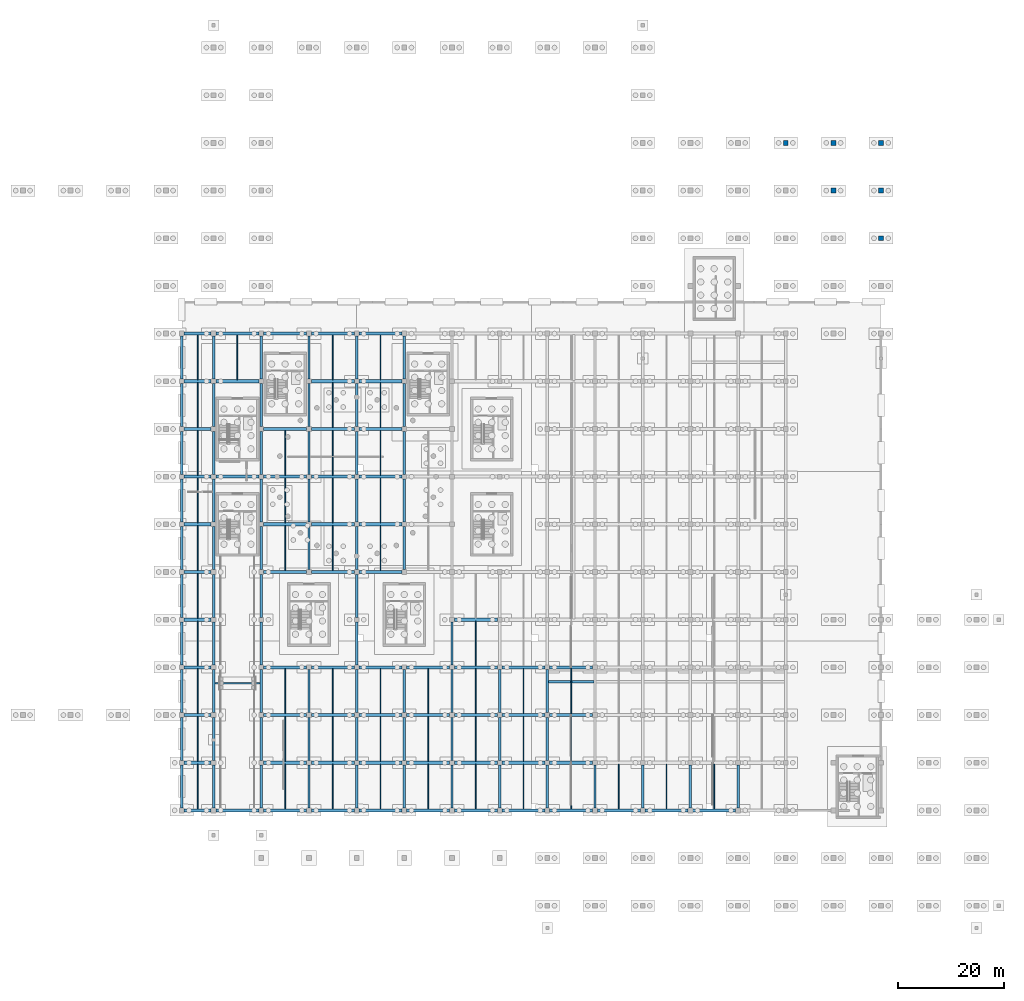
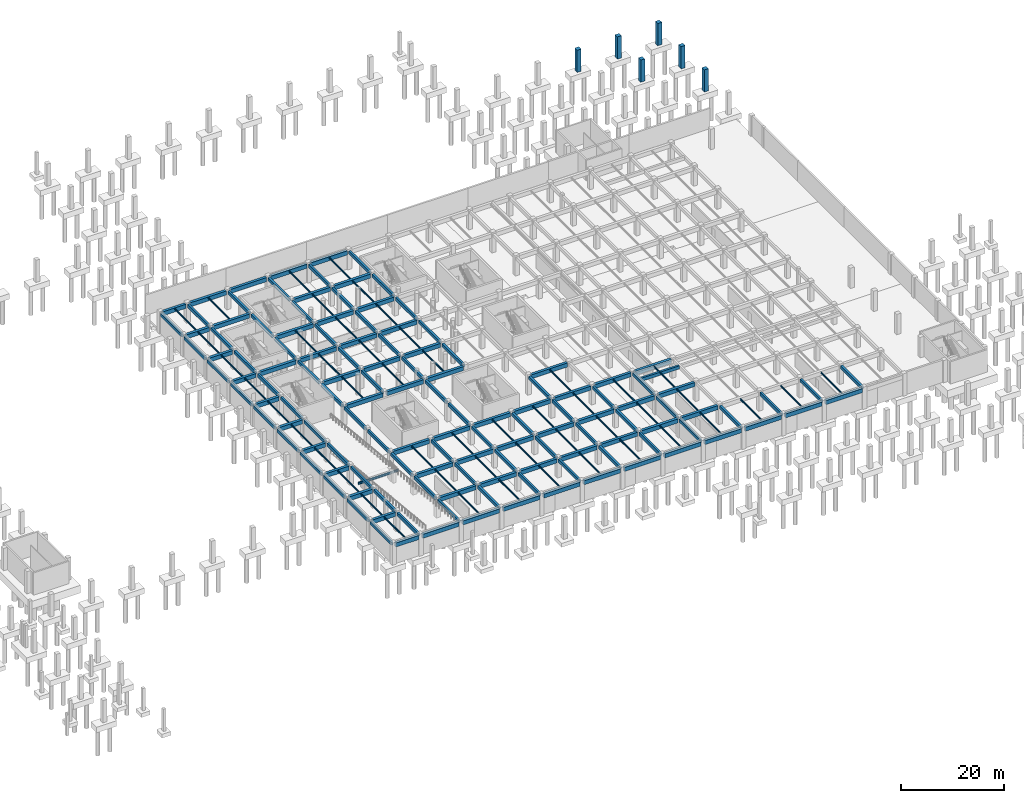
# One storey, part 13 of 27: 185 beams, 6 columns.
"""IFC4 building model written with IfcOpenShell, lengths in metres."""

from ifc_helpers import new_model, si_unit, direction, frame, origin, origin_2d, place, context, subcontext, project, spatial, rectangle, i_section, extrude, material, material_profile, profile_set, type_object, element, save


model = new_model("IFC4")

# Units and contexts
model_context = context("Model", 3, precision=1e-05, world=origin(), true_north=direction((0.0, 1.0)))
body_context = subcontext(model_context, "Body", "Model", "MODEL_VIEW")
ifc_project = project(units=[si_unit("LENGTHUNIT", "METRE"), si_unit("AREAUNIT", "SQUARE_METRE"), si_unit("VOLUMEUNIT", "CUBIC_METRE"), si_unit("PLANEANGLEUNIT", "RADIAN"), si_unit("MASSUNIT", "GRAM", prefix="KILO")], contexts=[model_context])

# Site, building, storey
site_placement = place(None, origin())
site = spatial("IfcSite", under=ifc_project, at=site_placement, CompositionType="ELEMENT")
building_placement = place(site_placement, origin())
building = spatial("IfcBuilding", under=site, at=building_placement, Name="Dornveld Trade and Exhibition Forum", CompositionType="ELEMENT")
storey_placement = place(building_placement, frame((0.0, 0.0, -4.800048828125)))
storey = spatial("IfcBuildingStorey", under=building, at=storey_placement, Name="B1", CompositionType="ELEMENT", Elevation=-4.800048828125)

# Columns
ifc_material_1 = material(Name="Precast concrete C50/60", Category="concrete")
ifc_material_profile_1 = material_profile(ifc_material_1, rectangle(XDim=0.89990234375, YDim=0.89990234375, at=origin_2d()), Name="PC-COL 900x900")
ifc_profile_set_1 = profile_set([ifc_material_profile_1], Name="Precast concrete C50/60")
column_type = type_object("IfcColumnType", Name="COL-PC900", PredefinedType="COLUMN", material=ifc_profile_set_1)
for number, where, z_axis, x_axis, name in (
    (1, (198.0, 144.0, -0.449951171875), (0.0, 0.0, 1.0), (1.0, 0.0, 0.0), "B1 column (198.0, 144.0)"),
    (2, (207.0, 135.0, -0.449951171875), (0.0, 0.0, 1.0), (1.0, 0.0, 0.0), "B1 column (207.0, 135.0)"),
    (3, (207.0, 144.0, -0.449951171875), (0.0, 0.0, 1.0), (1.0, 0.0, 0.0), "B1 column (207.0, 144.0)"),
    (4, (216.0, 126.0, -0.449951171875), (0.0, 0.0, 1.0), (1.0, 0.0, 0.0), "B1 column (216.0, 126.0)"),
    (5, (216.0, 135.0, -0.449951171875), (0.0, 0.0, 1.0), (1.0, 0.0, 0.0), "B1 column (216.0, 135.0)"),
    (6, (216.0, 144.0, -0.449951171875), (0.0, 0.0, 1.0), (1.0, 0.0, 0.0), "B1 column (216.0, 144.0)"),
):
    element("IfcColumn", number, at=place(storey_placement, frame(where, z_axis=z_axis, x_axis=x_axis)), inside=storey, type_object=column_type, Name=name, PredefinedType="COLUMN", context=body_context, shape_type="SweptSolid", body=[
        extrude(rectangle(XDim=0.89990234375, YDim=0.89990234375, at=origin_2d()), origin(), (0.0, 0.0, 1.0), 5.25),
    ])

# Beams
ifc_material_2 = material(Name="Steel S355J2", Category="steel")
ifc_material_profile_2 = material_profile(ifc_material_2, i_section(OverallWidth=0.300048828125, OverallDepth=0.5, WebThickness=0.014404296875, FlangeThickness=0.028076171875, FilletRadius=0.027099609375, at=origin_2d()), Name="HEB 500")
ifc_profile_set_2 = profile_set([ifc_material_profile_2], Name="Steel S355J2")
beam_type_1 = type_object("IfcBeamType", Name="BM-GIR-HEB500", PredefinedType="USERDEFINED", material=ifc_profile_set_2)
beam_1_placement = place(storey_placement, frame((90.0, 42.0, 1.824951171875), z_axis=(1.0, 0.0, 0.0), x_axis=(0.0, 1.0, 0.0)))
element("IfcBeam", 7, at=beam_1_placement, inside=storey, type_object=beam_type_1, Name="Ramp mid-flight transverse bearing girder 3", ObjectType="GIRDER", PredefinedType="USERDEFINED", context=body_context, shape_type="SweptSolid", body=[
    extrude(i_section(OverallWidth=0.300048828125, OverallDepth=0.5, WebThickness=0.014404296875, FlangeThickness=0.028076171875, FilletRadius=0.027099609375, at=origin_2d()), origin(), (0.0, 0.0, 1.0), 9.0),
])
ifc_material_3 = material(Name="Steel S355J2", Category="steel")
ifc_material_profile_3 = material_profile(ifc_material_3, i_section(OverallWidth=0.169921875, OverallDepth=0.360107421875, WebThickness=0.008056640625, FlangeThickness=0.0126953125, FilletRadius=0.01806640625, at=origin_2d()), Name="IPE 360")
ifc_profile_set_3 = profile_set([ifc_material_profile_3], Name="Steel S355J2")
beam_type_2 = type_object("IfcBeamType", Name="BM-JOIST-360", PredefinedType="JOIST", material=ifc_profile_set_3)
for number, where, z_axis, x_axis, name in (
    (8, (87.0, 18.297119140625, 4.239990234375), (0.0, 1.0, 0.0), (-1.0, 0.0, 0.0), "B1 secondary joist 259"),
    (9, (87.0, 27.297119140625, 4.239990234375), (0.0, 1.0, 0.0), (-1.0, 0.0, 0.0), "B1 secondary joist 260"),
    (10, (87.0, 36.297119140625, 4.239990234375), (0.0, 1.0, 0.0), (-1.0, 0.0, 0.0), "B1 secondary joist 261"),
    (11, (87.0, 45.297119140625, 4.239990234375), (0.0, 1.0, 0.0), (-1.0, 0.0, 0.0), "B1 secondary joist 262"),
    (12, (87.0, 54.297119140625, 4.239990234375), (0.0, 1.0, 0.0), (-1.0, 0.0, 0.0), "B1 secondary joist 263"),
    (13, (87.0, 63.297119140625, 4.239990234375), (0.0, 1.0, 0.0), (-1.0, 0.0, 0.0), "B1 secondary joist 264"),
    (14, (87.0, 72.297119140625, 4.239990234375), (0.0, 1.0, 0.0), (-1.0, 0.0, 0.0), "B1 secondary joist 265"),
    (15, (87.0, 81.297119140625, 4.239990234375), (0.0, 1.0, 0.0), (-1.0, 0.0, 0.0), "B1 secondary joist 266"),
    (16, (87.0, 90.297119140625, 4.239990234375), (0.0, 1.0, 0.0), (-1.0, 0.0, 0.0), "B1 secondary joist 267"),
    (17, (87.0, 99.297119140625, 4.239990234375), (0.0, 1.0, 0.0), (-1.0, 0.0, 0.0), "B1 secondary joist 268"),
    (18, (94.5, 99.297119140625, 4.239990234375), (0.0, 1.0, 0.0), (-1.0, 0.0, 0.0), "B1 secondary joist 269"),
    (19, (103.5, 18.297119140625, 4.239990234375), (0.0, 1.0, 0.0), (-1.0, 0.0, 0.0), "B1 secondary joist 270"),
    (20, (103.5, 27.297119140625, 4.239990234375), (0.0, 1.0, 0.0), (-1.0, 0.0, 0.0), "B1 secondary joist 271"),
    (21, (103.5, 36.297119140625, 4.239990234375), (0.0, 1.0, 0.0), (-1.0, 0.0, 0.0), "B1 secondary joist 272"),
    (22, (103.5, 63.297119140625, 4.239990234375), (0.0, 1.0, 0.0), (-1.0, 0.0, 0.0), "B1 secondary joist 273"),
    (23, (103.5, 72.297119140625, 4.239990234375), (0.0, 1.0, 0.0), (-1.0, 0.0, 0.0), "B1 secondary joist 274"),
    (24, (103.5, 81.297119140625, 4.239990234375), (0.0, 1.0, 0.0), (-1.0, 0.0, 0.0), "B1 secondary joist 275"),
    (25, (112.5, 18.297119140625, 4.239990234375), (0.0, 1.0, 0.0), (-1.0, 0.0, 0.0), "B1 secondary joist 276"),
    (26, (112.5, 27.297119140625, 4.239990234375), (0.0, 1.0, 0.0), (-1.0, 0.0, 0.0), "B1 secondary joist 277"),
    (27, (112.5, 36.297119140625, 4.239990234375), (0.0, 1.0, 0.0), (-1.0, 0.0, 0.0), "B1 secondary joist 278"),
    (28, (112.5, 63.297119140625, 4.239990234375), (0.0, 1.0, 0.0), (-1.0, 0.0, 0.0), "B1 secondary joist 279"),
    (29, (112.5, 72.297119140625, 4.239990234375), (0.0, 1.0, 0.0), (-1.0, 0.0, 0.0), "B1 secondary joist 280"),
    (30, (112.5, 81.297119140625, 4.239990234375), (0.0, 1.0, 0.0), (-1.0, 0.0, 0.0), "B1 secondary joist 281"),
    (31, (112.5, 90.297119140625, 4.239990234375), (0.0, 1.0, 0.0), (-1.0, 0.0, 0.0), "B1 secondary joist 282"),
    (32, (112.5, 99.297119140625, 4.239990234375), (0.0, 1.0, 0.0), (-1.0, 0.0, 0.0), "B1 secondary joist 283"),
    (33, (121.5, 18.297119140625, 4.239990234375), (0.0, 1.0, 0.0), (-1.0, 0.0, 0.0), "B1 secondary joist 284"),
    (34, (121.5, 27.297119140625, 4.239990234375), (0.0, 1.0, 0.0), (-1.0, 0.0, 0.0), "B1 secondary joist 285"),
    (35, (121.5, 36.297119140625, 4.239990234375), (0.0, 1.0, 0.0), (-1.0, 0.0, 0.0), "B1 secondary joist 286"),
    (36, (121.5, 63.297119140625, 4.239990234375), (0.0, 1.0, 0.0), (-1.0, 0.0, 0.0), "B1 secondary joist 287"),
    (37, (121.5, 72.297119140625, 4.239990234375), (0.0, 1.0, 0.0), (-1.0, 0.0, 0.0), "B1 secondary joist 288"),
    (38, (121.5, 81.297119140625, 4.239990234375), (0.0, 1.0, 0.0), (-1.0, 0.0, 0.0), "B1 secondary joist 289"),
    (39, (121.5, 90.297119140625, 4.239990234375), (0.0, 1.0, 0.0), (-1.0, 0.0, 0.0), "B1 secondary joist 290"),
    (40, (121.5, 99.297119140625, 4.239990234375), (0.0, 1.0, 0.0), (-1.0, 0.0, 0.0), "B1 secondary joist 291"),
    (41, (130.5, 18.297119140625, 4.239990234375), (0.0, 1.0, 0.0), (-1.0, 0.0, 0.0), "B1 secondary joist 292"),
    (42, (130.5, 27.297119140625, 4.239990234375), (0.0, 1.0, 0.0), (-1.0, 0.0, 0.0), "B1 secondary joist 293"),
    (43, (130.5, 36.297119140625, 4.239990234375), (0.0, 1.0, 0.0), (-1.0, 0.0, 0.0), "B1 secondary joist 294"),
    (44, (139.5, 18.297119140625, 4.239990234375), (0.0, 1.0, 0.0), (-1.0, 0.0, 0.0), "B1 secondary joist 298"),
    (45, (139.5, 27.297119140625, 4.239990234375), (0.0, 1.0, 0.0), (-1.0, 0.0, 0.0), "B1 secondary joist 299"),
    (46, (139.5, 36.297119140625, 4.239990234375), (0.0, 1.0, 0.0), (-1.0, 0.0, 0.0), "B1 secondary joist 300"),
    (47, (139.5, 45.297119140625, 4.239990234375), (0.0, 1.0, 0.0), (-1.0, 0.0, 0.0), "B1 secondary joist 301"),
    (48, (148.5, 18.297119140625, 4.239990234375), (0.0, 1.0, 0.0), (-1.0, 0.0, 0.0), "B1 secondary joist 304"),
    (49, (148.5, 27.297119140625, 4.239990234375), (0.0, 1.0, 0.0), (-1.0, 0.0, 0.0), "B1 secondary joist 305"),
    (50, (148.5, 36.297119140625, 4.239990234375), (0.0, 1.0, 0.0), (-1.0, 0.0, 0.0), "B1 secondary joist 306"),
    (51, (157.5, 18.297119140625, 4.239990234375), (0.0, 1.0, 0.0), (-1.0, 0.0, 0.0), "B1 secondary joist 310"),
    (52, (157.5, 27.297119140625, 4.239990234375), (0.0, 1.0, 0.0), (-1.0, 0.0, 0.0), "B1 secondary joist 311"),
    (53, (157.5, 36.297119140625, 4.239990234375), (0.0, 1.0, 0.0), (-1.0, 0.0, 0.0), "B1 secondary joist 312"),
    (54, (166.5, 18.297119140625, 4.239990234375), (0.0, 1.0, 0.0), (-1.0, 0.0, 0.0), "B1 secondary joist 320"),
    (55, (175.5, 18.297119140625, 4.239990234375), (0.0, 1.0, 0.0), (-1.0, 0.0, 0.0), "B1 secondary joist 330"),
    (56, (184.5, 18.297119140625, 4.239990234375), (0.0, 1.0, 0.0), (-1.0, 0.0, 0.0), "B1 secondary joist 340"),
):
    element("IfcBeam", number, at=place(storey_placement, frame(where, z_axis=z_axis, x_axis=x_axis)), inside=storey, type_object=beam_type_2, Name=name, PredefinedType="JOIST", context=body_context, shape_type="SweptSolid", body=[
        extrude(i_section(OverallWidth=0.169921875, OverallDepth=0.360107421875, WebThickness=0.008056640625, FlangeThickness=0.0126953125, FilletRadius=0.01806640625, at=origin_2d()), origin(), (0.0, 0.0, 1.0), 8.40576171875),
    ])
ifc_material_4 = material(Name="Precast concrete C50/60", Category="concrete")
ifc_material_profile_4 = material_profile(ifc_material_4, rectangle(XDim=0.449951171875, YDim=0.75, at=origin_2d()), Name="PC-BM 450x750")
ifc_profile_set_4 = profile_set([ifc_material_profile_4], Name="Precast concrete C50/60")
beam_type_3 = type_object("IfcBeamType", Name="BM-PC-450x750", PredefinedType="BEAM", material=ifc_profile_set_4)
for number, where, z_axis, x_axis, name in (
    (57, (84.0, 18.446044921875, 4.045166015625), (0.0, 1.0, 0.0), (-1.0, 0.0, 0.0), "B1 Y-girder 127"),
    (58, (84.0, 27.446044921875, 4.045166015625), (0.0, 1.0, 0.0), (-1.0, 0.0, 0.0), "B1 Y-girder 128"),
    (59, (84.0, 36.446044921875, 4.045166015625), (0.0, 1.0, 0.0), (-1.0, 0.0, 0.0), "B1 Y-girder 129"),
    (60, (84.0, 45.446044921875, 4.045166015625), (0.0, 1.0, 0.0), (-1.0, 0.0, 0.0), "B1 Y-girder 130"),
    (61, (84.0, 54.446044921875, 4.045166015625), (0.0, 1.0, 0.0), (-1.0, 0.0, 0.0), "B1 Y-girder 131"),
    (62, (84.0, 63.446044921875, 4.045166015625), (0.0, 1.0, 0.0), (-1.0, 0.0, 0.0), "B1 Y-girder 132"),
    (63, (84.0, 72.446044921875, 4.045166015625), (0.0, 1.0, 0.0), (-1.0, 0.0, 0.0), "B1 Y-girder 133"),
    (64, (84.0, 81.446044921875, 4.045166015625), (0.0, 1.0, 0.0), (-1.0, 0.0, 0.0), "B1 Y-girder 134"),
    (65, (84.0, 90.446044921875, 4.045166015625), (0.0, 1.0, 0.0), (-1.0, 0.0, 0.0), "B1 Y-girder 135"),
    (66, (84.0, 99.446044921875, 4.045166015625), (0.0, 1.0, 0.0), (-1.0, 0.0, 0.0), "B1 Y-girder 136"),
    (67, (90.0, 18.446044921875, 4.045166015625), (0.0, 1.0, 0.0), (-1.0, 0.0, 0.0), "B1 Y-girder 137"),
    (68, (90.0, 27.446044921875, 4.045166015625), (0.0, 1.0, 0.0), (-1.0, 0.0, 0.0), "B1 Y-girder 138"),
    (69, (90.0, 36.446044921875, 4.045166015625), (0.0, 1.0, 0.0), (-1.0, 0.0, 0.0), "B1 Y-girder 139"),
    (70, (90.0, 45.446044921875, 4.045166015625), (0.0, 1.0, 0.0), (-1.0, 0.0, 0.0), "B1 Y-girder 140"),
    (71, (90.0, 54.446044921875, 4.045166015625), (0.0, 1.0, 0.0), (-1.0, 0.0, 0.0), "B1 Y-girder 141"),
    (72, (90.0, 63.446044921875, 4.045166015625), (0.0, 1.0, 0.0), (-1.0, 0.0, 0.0), "B1 Y-girder 142"),
    (73, (90.0, 72.446044921875, 4.045166015625), (0.0, 1.0, 0.0), (-1.0, 0.0, 0.0), "B1 Y-girder 143"),
    (74, (90.0, 81.446044921875, 4.045166015625), (0.0, 1.0, 0.0), (-1.0, 0.0, 0.0), "B1 Y-girder 144"),
    (75, (90.0, 90.446044921875, 4.045166015625), (0.0, 1.0, 0.0), (-1.0, 0.0, 0.0), "B1 Y-girder 145"),
    (76, (90.0, 99.446044921875, 4.045166015625), (0.0, 1.0, 0.0), (-1.0, 0.0, 0.0), "B1 Y-girder 146"),
    (77, (99.0, 18.446044921875, 4.045166015625), (0.0, 1.0, 0.0), (-1.0, 0.0, 0.0), "B1 Y-girder 147"),
    (78, (99.0, 27.446044921875, 4.045166015625), (0.0, 1.0, 0.0), (-1.0, 0.0, 0.0), "B1 Y-girder 148"),
    (79, (99.0, 36.446044921875, 4.045166015625), (0.0, 1.0, 0.0), (-1.0, 0.0, 0.0), "B1 Y-girder 149"),
    (80, (99.0, 45.446044921875, 4.045166015625), (0.0, 1.0, 0.0), (-1.0, 0.0, 0.0), "B1 Y-girder 150"),
    (81, (99.0, 54.446044921875, 4.045166015625), (0.0, 1.0, 0.0), (-1.0, 0.0, 0.0), "B1 Y-girder 151"),
    (82, (99.0, 63.446044921875, 4.045166015625), (0.0, 1.0, 0.0), (-1.0, 0.0, 0.0), "B1 Y-girder 152"),
    (83, (99.0, 72.446044921875, 4.045166015625), (0.0, 1.0, 0.0), (-1.0, 0.0, 0.0), "B1 Y-girder 153"),
    (84, (99.0, 81.446044921875, 4.045166015625), (0.0, 1.0, 0.0), (-1.0, 0.0, 0.0), "B1 Y-girder 154"),
    (85, (99.0, 90.446044921875, 4.045166015625), (0.0, 1.0, 0.0), (-1.0, 0.0, 0.0), "B1 Y-girder 155"),
    (86, (99.0, 99.446044921875, 4.045166015625), (0.0, 1.0, 0.0), (-1.0, 0.0, 0.0), "B1 Y-girder 156"),
    (87, (108.0, 18.446044921875, 4.045166015625), (0.0, 1.0, 0.0), (-1.0, 0.0, 0.0), "B1 Y-girder 157"),
    (88, (108.0, 27.446044921875, 4.045166015625), (0.0, 1.0, 0.0), (-1.0, 0.0, 0.0), "B1 Y-girder 158"),
    (89, (108.0, 36.446044921875, 4.045166015625), (0.0, 1.0, 0.0), (-1.0, 0.0, 0.0), "B1 Y-girder 159"),
    (90, (108.0, 63.446044921875, 4.045166015625), (0.0, 1.0, 0.0), (-1.0, 0.0, 0.0), "B1 Y-girder 160"),
    (91, (108.0, 72.446044921875, 4.045166015625), (0.0, 1.0, 0.0), (-1.0, 0.0, 0.0), "B1 Y-girder 161"),
    (92, (108.0, 81.446044921875, 4.045166015625), (0.0, 1.0, 0.0), (-1.0, 0.0, 0.0), "B1 Y-girder 162"),
    (93, (108.0, 90.446044921875, 4.045166015625), (0.0, 1.0, 0.0), (-1.0, 0.0, 0.0), "B1 Y-girder 163"),
    (94, (108.0, 99.446044921875, 4.045166015625), (0.0, 1.0, 0.0), (-1.0, 0.0, 0.0), "B1 Y-girder 164"),
    (95, (117.0, 18.446044921875, 4.045166015625), (0.0, 1.0, 0.0), (-1.0, 0.0, 0.0), "B1 Y-girder 165"),
    (96, (117.0, 27.446044921875, 4.045166015625), (0.0, 1.0, 0.0), (-1.0, 0.0, 0.0), "B1 Y-girder 166"),
    (97, (117.0, 36.446044921875, 4.045166015625), (0.0, 1.0, 0.0), (-1.0, 0.0, 0.0), "B1 Y-girder 167"),
    (98, (117.0, 45.446044921875, 4.045166015625), (0.0, 1.0, 0.0), (-1.0, 0.0, 0.0), "B1 Y-girder 168"),
    (99, (117.0, 54.446044921875, 4.045166015625), (0.0, 1.0, 0.0), (-1.0, 0.0, 0.0), "B1 Y-girder 169"),
    (100, (117.0, 63.446044921875, 4.045166015625), (0.0, 1.0, 0.0), (-1.0, 0.0, 0.0), "B1 Y-girder 170"),
    (101, (117.0, 72.446044921875, 4.045166015625), (0.0, 1.0, 0.0), (-1.0, 0.0, 0.0), "B1 Y-girder 171"),
    (102, (117.0, 81.446044921875, 4.045166015625), (0.0, 1.0, 0.0), (-1.0, 0.0, 0.0), "B1 Y-girder 172"),
    (103, (117.0, 90.446044921875, 4.045166015625), (0.0, 1.0, 0.0), (-1.0, 0.0, 0.0), "B1 Y-girder 173"),
    (104, (117.0, 99.446044921875, 4.045166015625), (0.0, 1.0, 0.0), (-1.0, 0.0, 0.0), "B1 Y-girder 174"),
    (105, (126.0, 18.446044921875, 4.045166015625), (0.0, 1.0, 0.0), (-1.0, 0.0, 0.0), "B1 Y-girder 175"),
    (106, (126.0, 27.446044921875, 4.045166015625), (0.0, 1.0, 0.0), (-1.0, 0.0, 0.0), "B1 Y-girder 176"),
    (107, (126.0, 36.446044921875, 4.045166015625), (0.0, 1.0, 0.0), (-1.0, 0.0, 0.0), "B1 Y-girder 177"),
    (108, (126.0, 63.446044921875, 4.045166015625), (0.0, 1.0, 0.0), (-1.0, 0.0, 0.0), "B1 Y-girder 178"),
    (109, (126.0, 72.446044921875, 4.045166015625), (0.0, 1.0, 0.0), (-1.0, 0.0, 0.0), "B1 Y-girder 179"),
    (110, (126.0, 81.446044921875, 4.045166015625), (0.0, 1.0, 0.0), (-1.0, 0.0, 0.0), "B1 Y-girder 180"),
    (111, (126.0, 90.446044921875, 4.045166015625), (0.0, 1.0, 0.0), (-1.0, 0.0, 0.0), "B1 Y-girder 181"),
    (112, (126.0, 99.446044921875, 4.045166015625), (0.0, 1.0, 0.0), (-1.0, 0.0, 0.0), "B1 Y-girder 182"),
    (113, (135.0, 18.446044921875, 4.045166015625), (0.0, 1.0, 0.0), (-1.0, 0.0, 0.0), "B1 Y-girder 183"),
    (114, (135.0, 27.446044921875, 4.045166015625), (0.0, 1.0, 0.0), (-1.0, 0.0, 0.0), "B1 Y-girder 184"),
    (115, (135.0, 36.446044921875, 4.045166015625), (0.0, 1.0, 0.0), (-1.0, 0.0, 0.0), "B1 Y-girder 185"),
    (116, (135.0, 45.446044921875, 4.045166015625), (0.0, 1.0, 0.0), (-1.0, 0.0, 0.0), "B1 Y-girder 186"),
    (117, (144.0, 18.446044921875, 4.045166015625), (0.0, 1.0, 0.0), (-1.0, 0.0, 0.0), "B1 Y-girder 193"),
    (118, (144.0, 27.446044921875, 4.045166015625), (0.0, 1.0, 0.0), (-1.0, 0.0, 0.0), "B1 Y-girder 194"),
    (119, (144.0, 36.446044921875, 4.045166015625), (0.0, 1.0, 0.0), (-1.0, 0.0, 0.0), "B1 Y-girder 195"),
    (120, (153.0, 18.446044921875, 4.045166015625), (0.0, 1.0, 0.0), (-1.0, 0.0, 0.0), "B1 Y-girder 199"),
    (121, (153.0, 27.446044921875, 4.045166015625), (0.0, 1.0, 0.0), (-1.0, 0.0, 0.0), "B1 Y-girder 200"),
    (122, (153.0, 36.446044921875, 4.045166015625), (0.0, 1.0, 0.0), (-1.0, 0.0, 0.0), "B1 Y-girder 201"),
    (123, (162.0, 18.446044921875, 4.045166015625), (0.0, 1.0, 0.0), (-1.0, 0.0, 0.0), "B1 Y-girder 209"),
    (124, (171.0, 18.446044921875, 4.045166015625), (0.0, 1.0, 0.0), (-1.0, 0.0, 0.0), "B1 Y-girder 219"),
    (125, (180.0, 18.446044921875, 4.045166015625), (0.0, 1.0, 0.0), (-1.0, 0.0, 0.0), "B1 Y-girder 229"),
    (126, (189.0, 18.446044921875, 4.045166015625), (0.0, 1.0, 0.0), (-1.0, 0.0, 0.0), "B1 Y-girder 239"),
):
    element("IfcBeam", number, at=place(storey_placement, frame(where, z_axis=z_axis, x_axis=x_axis)), inside=storey, type_object=beam_type_3, Name=name, PredefinedType="BEAM", context=body_context, shape_type="SweptSolid", body=[
        extrude(rectangle(XDim=0.449951171875, YDim=0.75, at=origin_2d()), origin(), (0.0, 0.0, 1.0), 8.10791015625),
    ])
beam_2_placement = place(storey_placement, frame((153.155029296875, 42.300048828125, 4.04296875), z_axis=(1.0, 0.0, 0.0), x_axis=(0.0, 1.0, 0.0)))
element("IfcBeam", 127, at=beam_2_placement, inside=storey, type_object=beam_type_3, Name="Stage plinth support beam S1", PredefinedType="BEAM", context=body_context, shape_type="SweptSolid", body=[
    extrude(rectangle(XDim=0.449951171875, YDim=0.75, at=origin_2d()), origin(), (0.0, 0.0, 1.0), 8.68994140625),
])
ifc_material_5 = material(Name="Precast concrete C50/60", Category="concrete")
ifc_material_profile_5 = material_profile(ifc_material_5, rectangle(XDim=0.60009765625, YDim=0.949951171875, at=origin_2d()), Name="PC-GIR 600x950")
ifc_profile_set_5 = profile_set([ifc_material_profile_5], Name="Precast concrete C50/60")
beam_type_4 = type_object("IfcBeamType", Name="BM-PC-600x950", PredefinedType="T_BEAM", material=ifc_profile_set_5)
beam_3_placement = place(storey_placement, frame((84.446044921875, 18.0, 3.945068359375), z_axis=(1.0, 0.0, 0.0), x_axis=(0.0, 1.0, 0.0)))
element("IfcBeam", 128, at=beam_3_placement, inside=storey, type_object=beam_type_4, Name="B1 X-girder 1", PredefinedType="T_BEAM", context=body_context, shape_type="SweptSolid", body=[
    extrude(rectangle(XDim=0.60009765625, YDim=0.949951171875, at=origin_2d()), origin(), (0.0, 0.0, 1.0), 5.10791015625),
])
for number, where, z_axis, x_axis, name in (
    (129, (90.446044921875, 18.0, 3.903076171875), (1.0, 0.0, 0.0), (0.0, 1.0, 0.0), "B1 X-girder 2"),
    (130, (99.446044921875, 18.0, 3.923095703125), (1.0, 0.0, 0.0), (0.0, 1.0, 0.0), "B1 X-girder 3"),
    (131, (108.446044921875, 18.0, 3.923095703125), (1.0, 0.0, 0.0), (0.0, 1.0, 0.0), "B1 X-girder 4"),
    (132, (117.446044921875, 18.0, 3.923095703125), (1.0, 0.0, 0.0), (0.0, 1.0, 0.0), "B1 X-girder 5"),
    (133, (126.446044921875, 18.0, 3.923095703125), (1.0, 0.0, 0.0), (0.0, 1.0, 0.0), "B1 X-girder 6"),
    (134, (135.446044921875, 18.0, 3.923095703125), (1.0, 0.0, 0.0), (0.0, 1.0, 0.0), "B1 X-girder 7"),
    (135, (144.446044921875, 18.0, 3.945068359375), (1.0, 0.0, 0.0), (0.0, 1.0, 0.0), "B1 X-girder 8"),
    (136, (153.446044921875, 18.0, 3.945068359375), (1.0, 0.0, 0.0), (0.0, 1.0, 0.0), "B1 X-girder 9"),
    (137, (162.446044921875, 18.0, 3.945068359375), (1.0, 0.0, 0.0), (0.0, 1.0, 0.0), "B1 X-girder 10"),
    (138, (171.446044921875, 18.0, 3.945068359375), (1.0, 0.0, 0.0), (0.0, 1.0, 0.0), "B1 X-girder 11"),
    (139, (180.446044921875, 18.0, 3.945068359375), (1.0, 0.0, 0.0), (0.0, 1.0, 0.0), "B1 X-girder 12"),
):
    element("IfcBeam", number, at=place(storey_placement, frame(where, z_axis=z_axis, x_axis=x_axis)), inside=storey, type_object=beam_type_4, Name=name, PredefinedType="T_BEAM", context=body_context, shape_type="SweptSolid", body=[
        extrude(rectangle(XDim=0.60009765625, YDim=0.949951171875, at=origin_2d()), origin(), (0.0, 0.0, 1.0), 8.10791015625),
    ])
beam_4_placement = place(storey_placement, frame((84.446044921875, 27.0, 3.945068359375), z_axis=(1.0, 0.0, 0.0), x_axis=(0.0, 1.0, 0.0)))
element("IfcBeam", 140, at=beam_4_placement, inside=storey, type_object=beam_type_4, Name="B1 X-girder 14", PredefinedType="T_BEAM", context=body_context, shape_type="SweptSolid", body=[
    extrude(rectangle(XDim=0.60009765625, YDim=0.949951171875, at=origin_2d()), origin(), (0.0, 0.0, 1.0), 5.10791015625),
])
for number, where, z_axis, x_axis, name in (
    (141, (99.446044921875, 27.0, 3.945068359375), (1.0, 0.0, 0.0), (0.0, 1.0, 0.0), "B1 X-girder 15"),
    (142, (108.446044921875, 27.0, 3.945068359375), (1.0, 0.0, 0.0), (0.0, 1.0, 0.0), "B1 X-girder 16"),
    (143, (117.446044921875, 27.0, 3.945068359375), (1.0, 0.0, 0.0), (0.0, 1.0, 0.0), "B1 X-girder 17"),
    (144, (126.446044921875, 27.0, 3.945068359375), (1.0, 0.0, 0.0), (0.0, 1.0, 0.0), "B1 X-girder 18"),
    (145, (135.446044921875, 27.0, 3.945068359375), (1.0, 0.0, 0.0), (0.0, 1.0, 0.0), "B1 X-girder 19"),
    (146, (144.446044921875, 27.0, 3.945068359375), (1.0, 0.0, 0.0), (0.0, 1.0, 0.0), "B1 X-girder 20"),
    (147, (153.446044921875, 27.0, 3.945068359375), (1.0, 0.0, 0.0), (0.0, 1.0, 0.0), "B1 X-girder 21"),
):
    element("IfcBeam", number, at=place(storey_placement, frame(where, z_axis=z_axis, x_axis=x_axis)), inside=storey, type_object=beam_type_4, Name=name, PredefinedType="T_BEAM", context=body_context, shape_type="SweptSolid", body=[
        extrude(rectangle(XDim=0.60009765625, YDim=0.949951171875, at=origin_2d()), origin(), (0.0, 0.0, 1.0), 8.10791015625),
    ])
beam_5_placement = place(storey_placement, frame((84.446044921875, 36.0, 3.945068359375), z_axis=(1.0, 0.0, 0.0), x_axis=(0.0, 1.0, 0.0)))
element("IfcBeam", 148, at=beam_5_placement, inside=storey, type_object=beam_type_4, Name="B1 X-girder 26", PredefinedType="T_BEAM", context=body_context, shape_type="SweptSolid", body=[
    extrude(rectangle(XDim=0.60009765625, YDim=0.949951171875, at=origin_2d()), origin(), (0.0, 0.0, 1.0), 5.10791015625),
])
for number, where, z_axis, x_axis, name in (
    (149, (99.446044921875, 36.0, 3.945068359375), (1.0, 0.0, 0.0), (0.0, 1.0, 0.0), "B1 X-girder 27"),
    (150, (108.446044921875, 36.0, 3.945068359375), (1.0, 0.0, 0.0), (0.0, 1.0, 0.0), "B1 X-girder 28"),
    (151, (117.446044921875, 36.0, 3.945068359375), (1.0, 0.0, 0.0), (0.0, 1.0, 0.0), "B1 X-girder 29"),
    (152, (126.446044921875, 36.0, 3.945068359375), (1.0, 0.0, 0.0), (0.0, 1.0, 0.0), "B1 X-girder 30"),
    (153, (135.446044921875, 36.0, 3.945068359375), (1.0, 0.0, 0.0), (0.0, 1.0, 0.0), "B1 X-girder 31"),
    (154, (144.446044921875, 36.0, 3.945068359375), (1.0, 0.0, 0.0), (0.0, 1.0, 0.0), "B1 X-girder 32"),
    (155, (153.446044921875, 36.0, 3.945068359375), (1.0, 0.0, 0.0), (0.0, 1.0, 0.0), "B1 X-girder 33"),
):
    element("IfcBeam", number, at=place(storey_placement, frame(where, z_axis=z_axis, x_axis=x_axis)), inside=storey, type_object=beam_type_4, Name=name, PredefinedType="T_BEAM", context=body_context, shape_type="SweptSolid", body=[
        extrude(rectangle(XDim=0.60009765625, YDim=0.949951171875, at=origin_2d()), origin(), (0.0, 0.0, 1.0), 8.10791015625),
    ])
beam_6_placement = place(storey_placement, frame((84.446044921875, 45.0, 3.945068359375), z_axis=(1.0, 0.0, 0.0), x_axis=(0.0, 1.0, 0.0)))
element("IfcBeam", 156, at=beam_6_placement, inside=storey, type_object=beam_type_4, Name="B1 X-girder 38", PredefinedType="T_BEAM", context=body_context, shape_type="SweptSolid", body=[
    extrude(rectangle(XDim=0.60009765625, YDim=0.949951171875, at=origin_2d()), origin(), (0.0, 0.0, 1.0), 5.10791015625),
])
for number, where, z_axis, x_axis, name in (
    (157, (99.446044921875, 45.0, 3.945068359375), (1.0, 0.0, 0.0), (0.0, 1.0, 0.0), "B1 X-girder 39"),
    (158, (108.446044921875, 45.0, 3.945068359375), (1.0, 0.0, 0.0), (0.0, 1.0, 0.0), "B1 X-girder 40"),
    (159, (117.446044921875, 45.0, 3.945068359375), (1.0, 0.0, 0.0), (0.0, 1.0, 0.0), "B1 X-girder 41"),
    (160, (126.446044921875, 45.0, 3.945068359375), (1.0, 0.0, 0.0), (0.0, 1.0, 0.0), "B1 X-girder 42"),
    (161, (135.446044921875, 45.0, 3.945068359375), (1.0, 0.0, 0.0), (0.0, 1.0, 0.0), "B1 X-girder 43"),
    (162, (144.446044921875, 45.0, 3.945068359375), (1.0, 0.0, 0.0), (0.0, 1.0, 0.0), "B1 X-girder 44"),
    (163, (153.446044921875, 45.0, 3.945068359375), (1.0, 0.0, 0.0), (0.0, 1.0, 0.0), "B1 X-girder 45"),
):
    element("IfcBeam", number, at=place(storey_placement, frame(where, z_axis=z_axis, x_axis=x_axis)), inside=storey, type_object=beam_type_4, Name=name, PredefinedType="T_BEAM", context=body_context, shape_type="SweptSolid", body=[
        extrude(rectangle(XDim=0.60009765625, YDim=0.949951171875, at=origin_2d()), origin(), (0.0, 0.0, 1.0), 8.10791015625),
    ])
beam_7_placement = place(storey_placement, frame((84.446044921875, 54.0, 3.945068359375), z_axis=(1.0, 0.0, 0.0), x_axis=(0.0, 1.0, 0.0)))
element("IfcBeam", 164, at=beam_7_placement, inside=storey, type_object=beam_type_4, Name="B1 X-girder 50", PredefinedType="T_BEAM", context=body_context, shape_type="SweptSolid", body=[
    extrude(rectangle(XDim=0.60009765625, YDim=0.949951171875, at=origin_2d()), origin(), (0.0, 0.0, 1.0), 5.10791015625),
])
beam_8_placement = place(storey_placement, frame((135.446044921875, 54.0, 3.945068359375), z_axis=(1.0, 0.0, 0.0), x_axis=(0.0, 1.0, 0.0)))
element("IfcBeam", 165, at=beam_8_placement, inside=storey, type_object=beam_type_4, Name="B1 X-girder 51", PredefinedType="T_BEAM", context=body_context, shape_type="SweptSolid", body=[
    extrude(rectangle(XDim=0.60009765625, YDim=0.949951171875, at=origin_2d()), origin(), (0.0, 0.0, 1.0), 8.10791015625),
])
beam_9_placement = place(storey_placement, frame((84.446044921875, 63.0, 3.945068359375), z_axis=(1.0, 0.0, 0.0), x_axis=(0.0, 1.0, 0.0)))
element("IfcBeam", 166, at=beam_9_placement, inside=storey, type_object=beam_type_4, Name="B1 X-girder 58", PredefinedType="T_BEAM", context=body_context, shape_type="SweptSolid", body=[
    extrude(rectangle(XDim=0.60009765625, YDim=0.949951171875, at=origin_2d()), origin(), (0.0, 0.0, 1.0), 5.10791015625),
])
for number, where, z_axis, x_axis, name in (
    (167, (99.446044921875, 63.0, 3.945068359375), (1.0, 0.0, 0.0), (0.0, 1.0, 0.0), "B1 X-girder 59"),
    (168, (108.446044921875, 63.0, 3.945068359375), (1.0, 0.0, 0.0), (0.0, 1.0, 0.0), "B1 X-girder 60"),
    (169, (117.446044921875, 63.0, 3.945068359375), (1.0, 0.0, 0.0), (0.0, 1.0, 0.0), "B1 X-girder 61"),
):
    element("IfcBeam", number, at=place(storey_placement, frame(where, z_axis=z_axis, x_axis=x_axis)), inside=storey, type_object=beam_type_4, Name=name, PredefinedType="T_BEAM", context=body_context, shape_type="SweptSolid", body=[
        extrude(rectangle(XDim=0.60009765625, YDim=0.949951171875, at=origin_2d()), origin(), (0.0, 0.0, 1.0), 8.10791015625),
    ])
beam_10_placement = place(storey_placement, frame((84.446044921875, 72.0, 3.945068359375), z_axis=(1.0, 0.0, 0.0), x_axis=(0.0, 1.0, 0.0)))
element("IfcBeam", 170, at=beam_10_placement, inside=storey, type_object=beam_type_4, Name="B1 X-girder 70", PredefinedType="T_BEAM", context=body_context, shape_type="SweptSolid", body=[
    extrude(rectangle(XDim=0.60009765625, YDim=0.949951171875, at=origin_2d()), origin(), (0.0, 0.0, 1.0), 5.10791015625),
])
for number, where, z_axis, x_axis, name in (
    (171, (99.446044921875, 72.0, 3.945068359375), (1.0, 0.0, 0.0), (0.0, 1.0, 0.0), "B1 X-girder 71"),
    (172, (108.446044921875, 72.0, 3.945068359375), (1.0, 0.0, 0.0), (0.0, 1.0, 0.0), "B1 X-girder 72"),
    (173, (117.446044921875, 72.0, 3.945068359375), (1.0, 0.0, 0.0), (0.0, 1.0, 0.0), "B1 X-girder 73"),
):
    element("IfcBeam", number, at=place(storey_placement, frame(where, z_axis=z_axis, x_axis=x_axis)), inside=storey, type_object=beam_type_4, Name=name, PredefinedType="T_BEAM", context=body_context, shape_type="SweptSolid", body=[
        extrude(rectangle(XDim=0.60009765625, YDim=0.949951171875, at=origin_2d()), origin(), (0.0, 0.0, 1.0), 8.10791015625),
    ])
beam_11_placement = place(storey_placement, frame((84.446044921875, 81.0, 3.945068359375), z_axis=(1.0, 0.0, 0.0), x_axis=(0.0, 1.0, 0.0)))
element("IfcBeam", 174, at=beam_11_placement, inside=storey, type_object=beam_type_4, Name="B1 X-girder 80", PredefinedType="T_BEAM", context=body_context, shape_type="SweptSolid", body=[
    extrude(rectangle(XDim=0.60009765625, YDim=0.949951171875, at=origin_2d()), origin(), (0.0, 0.0, 1.0), 5.10791015625),
])
for number, where, z_axis, x_axis, name in (
    (175, (90.446044921875, 81.0, 3.945068359375), (1.0, 0.0, 0.0), (0.0, 1.0, 0.0), "B1 X-girder 81"),
    (176, (99.446044921875, 81.0, 3.945068359375), (1.0, 0.0, 0.0), (0.0, 1.0, 0.0), "B1 X-girder 82"),
    (177, (108.446044921875, 81.0, 3.945068359375), (1.0, 0.0, 0.0), (0.0, 1.0, 0.0), "B1 X-girder 83"),
    (178, (117.446044921875, 81.0, 3.945068359375), (1.0, 0.0, 0.0), (0.0, 1.0, 0.0), "B1 X-girder 84"),
):
    element("IfcBeam", number, at=place(storey_placement, frame(where, z_axis=z_axis, x_axis=x_axis)), inside=storey, type_object=beam_type_4, Name=name, PredefinedType="T_BEAM", context=body_context, shape_type="SweptSolid", body=[
        extrude(rectangle(XDim=0.60009765625, YDim=0.949951171875, at=origin_2d()), origin(), (0.0, 0.0, 1.0), 8.10791015625),
    ])
beam_12_placement = place(storey_placement, frame((84.446044921875, 90.0, 3.945068359375), z_axis=(1.0, 0.0, 0.0), x_axis=(0.0, 1.0, 0.0)))
element("IfcBeam", 179, at=beam_12_placement, inside=storey, type_object=beam_type_4, Name="B1 X-girder 93", PredefinedType="T_BEAM", context=body_context, shape_type="SweptSolid", body=[
    extrude(rectangle(XDim=0.60009765625, YDim=0.949951171875, at=origin_2d()), origin(), (0.0, 0.0, 1.0), 5.10791015625),
])
for number, where, z_axis, x_axis, name in (
    (180, (99.446044921875, 90.0, 3.945068359375), (1.0, 0.0, 0.0), (0.0, 1.0, 0.0), "B1 X-girder 94"),
    (181, (108.446044921875, 90.0, 3.945068359375), (1.0, 0.0, 0.0), (0.0, 1.0, 0.0), "B1 X-girder 95"),
    (182, (117.446044921875, 90.0, 3.945068359375), (1.0, 0.0, 0.0), (0.0, 1.0, 0.0), "B1 X-girder 96"),
):
    element("IfcBeam", number, at=place(storey_placement, frame(where, z_axis=z_axis, x_axis=x_axis)), inside=storey, type_object=beam_type_4, Name=name, PredefinedType="T_BEAM", context=body_context, shape_type="SweptSolid", body=[
        extrude(rectangle(XDim=0.60009765625, YDim=0.949951171875, at=origin_2d()), origin(), (0.0, 0.0, 1.0), 8.10791015625),
    ])
beam_13_placement = place(storey_placement, frame((84.446044921875, 99.0, 3.945068359375), z_axis=(1.0, 0.0, 0.0), x_axis=(0.0, 1.0, 0.0)))
element("IfcBeam", 183, at=beam_13_placement, inside=storey, type_object=beam_type_4, Name="B1 X-girder 103", PredefinedType="T_BEAM", context=body_context, shape_type="SweptSolid", body=[
    extrude(rectangle(XDim=0.60009765625, YDim=0.949951171875, at=origin_2d()), origin(), (0.0, 0.0, 1.0), 5.10791015625),
])
for number, where, z_axis, x_axis, name in (
    (184, (90.446044921875, 99.0, 3.945068359375), (1.0, 0.0, 0.0), (0.0, 1.0, 0.0), "B1 X-girder 104"),
    (185, (108.446044921875, 99.0, 3.945068359375), (1.0, 0.0, 0.0), (0.0, 1.0, 0.0), "B1 X-girder 105"),
    (186, (117.446044921875, 99.0, 3.945068359375), (1.0, 0.0, 0.0), (0.0, 1.0, 0.0), "B1 X-girder 106"),
):
    element("IfcBeam", number, at=place(storey_placement, frame(where, z_axis=z_axis, x_axis=x_axis)), inside=storey, type_object=beam_type_4, Name=name, PredefinedType="T_BEAM", context=body_context, shape_type="SweptSolid", body=[
        extrude(rectangle(XDim=0.60009765625, YDim=0.949951171875, at=origin_2d()), origin(), (0.0, 0.0, 1.0), 8.10791015625),
    ])
beam_14_placement = place(storey_placement, frame((84.446044921875, 108.0, 3.945068359375), z_axis=(1.0, 0.0, 0.0), x_axis=(0.0, 1.0, 0.0)))
element("IfcBeam", 187, at=beam_14_placement, inside=storey, type_object=beam_type_4, Name="B1 X-girder 114", PredefinedType="T_BEAM", context=body_context, shape_type="SweptSolid", body=[
    extrude(rectangle(XDim=0.60009765625, YDim=0.949951171875, at=origin_2d()), origin(), (0.0, 0.0, 1.0), 5.10791015625),
])
for number, where, z_axis, x_axis, name in (
    (188, (90.446044921875, 108.0, 3.945068359375), (1.0, 0.0, 0.0), (0.0, 1.0, 0.0), "B1 X-girder 115"),
    (189, (99.446044921875, 108.0, 3.945068359375), (1.0, 0.0, 0.0), (0.0, 1.0, 0.0), "B1 X-girder 116"),
    (190, (108.446044921875, 108.0, 3.945068359375), (1.0, 0.0, 0.0), (0.0, 1.0, 0.0), "B1 X-girder 117"),
    (191, (117.446044921875, 108.0, 3.945068359375), (1.0, 0.0, 0.0), (0.0, 1.0, 0.0), "B1 X-girder 118"),
):
    element("IfcBeam", number, at=place(storey_placement, frame(where, z_axis=z_axis, x_axis=x_axis)), inside=storey, type_object=beam_type_4, Name=name, PredefinedType="T_BEAM", context=body_context, shape_type="SweptSolid", body=[
        extrude(rectangle(XDim=0.60009765625, YDim=0.949951171875, at=origin_2d()), origin(), (0.0, 0.0, 1.0), 8.10791015625),
    ])

save(model, "model.ifc")
